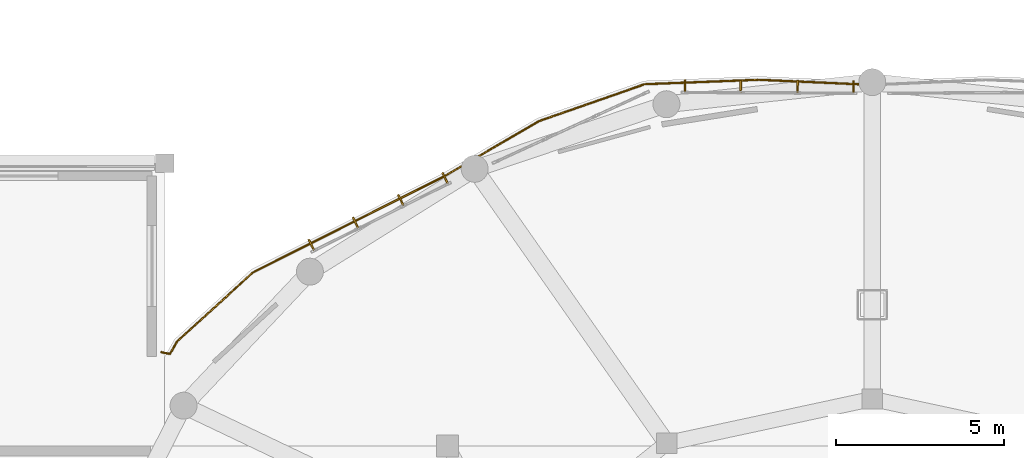
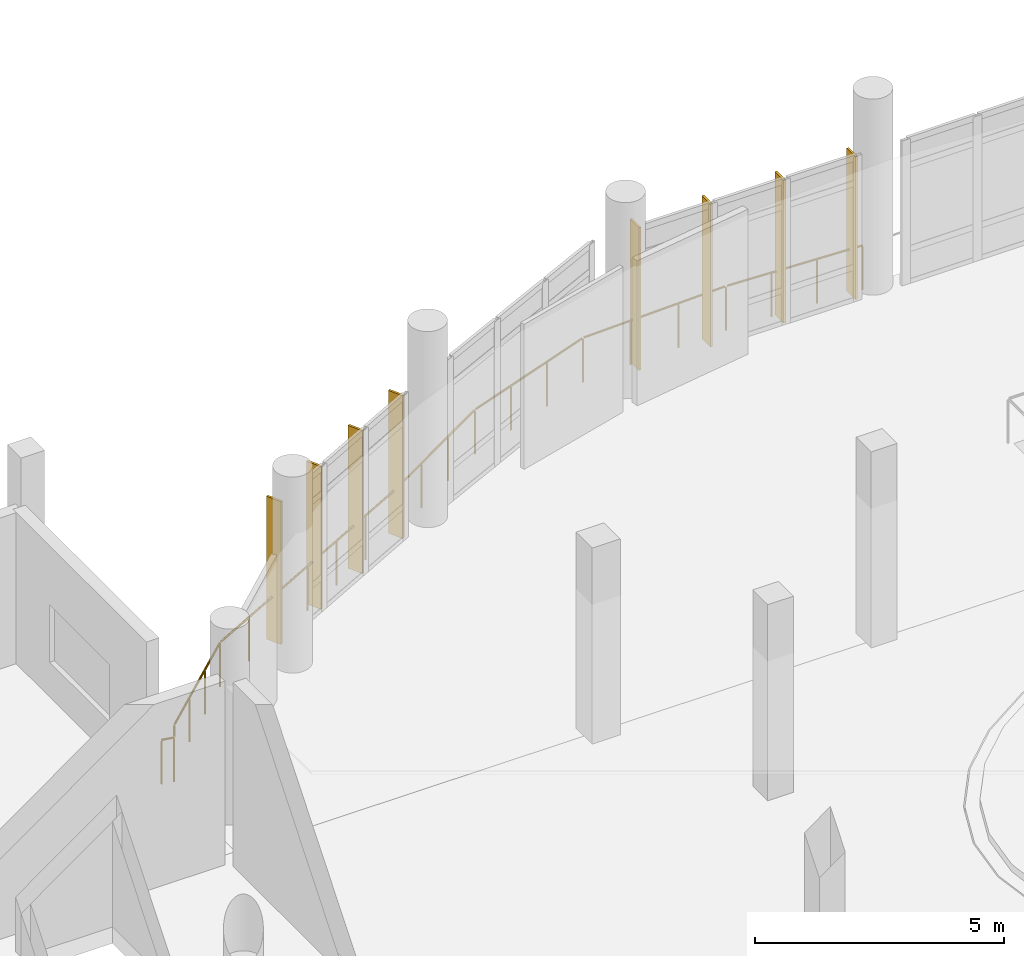
# One storey, part 57 of 63: 8 shading devices, 1 railing.
"""IFC4 building model written with IfcOpenShell, lengths in metres."""

from ifc_helpers import new_model, si_unit, derived_unit, direction, frame, origin, origin_2d, place, context, subcontext, project, spatial, rectangle, circle, extrude, material, type_object, element, save


model = new_model("IFC4")

# Units and contexts
model_context = context("Model", 3, precision=1e-05, world=origin(), true_north=direction((0.0, 1.0)))
body_context = subcontext(model_context, "Body", "Model", "MODEL_VIEW")
ifc_project = project(units=[si_unit("LENGTHUNIT", "METRE"), si_unit("AREAUNIT", "SQUARE_METRE"), si_unit("VOLUMEUNIT", "CUBIC_METRE"), si_unit("PLANEANGLEUNIT", "RADIAN"), si_unit("MASSUNIT", "GRAM", prefix="KILO"), derived_unit("THERMALTRANSMITTANCEUNIT", [(si_unit("POWERUNIT", "WATT"), 1), (si_unit("LENGTHUNIT", "METRE"), -2), (si_unit("THERMODYNAMICTEMPERATUREUNIT", "KELVIN"), -1)])], contexts=[model_context])

# Site, building, storey
site_placement = place(None, origin())
site = spatial("IfcSite", under=ifc_project, at=site_placement, CompositionType="ELEMENT")
building_placement = place(site_placement, origin())
building = spatial("IfcBuilding", under=site, at=building_placement, Name="Elbkamm Science Centre", CompositionType="ELEMENT")
storey_placement = place(building_placement, frame((0.0, 0.0, 5.10009765625)))
storey = spatial("IfcBuildingStorey", under=building, at=storey_placement, Name="L01", CompositionType="ELEMENT", Elevation=5.10009765625)

# Railing
ifc_material_1 = material(Name="Stainless steel EN 1.4401", Category="steel")
railing_type = type_object("IfcRailingType", Name="RAIL-EXT-GUARD-1100", PredefinedType="GUARDRAIL", material=ifc_material_1)
railing_placement = place(storey_placement, frame((41.89990234375, 78.38916015625, 0.0)))
element("IfcRailing", 1, at=railing_placement, inside=storey, type_object=railing_type, Name="L01 Slab Edge Perimeter Guard 016", PredefinedType="GUARDRAIL", context=body_context, shape_type="SweptSolid", body=[
    extrude(circle(Radius=0.02392578125, at=origin_2d()), frame((0.0, 0.0, 1.078125), z_axis=(0.979064624246, -0.203549653771, 0.0), x_axis=(0.203549653771, 0.979064624246, 0.0)), (0.0, 0.0, 1.0), 0.235107421875),
    extrude(circle(Radius=0.02392578125, at=origin_2d()), frame((0.2744140625, -0.02783203125, 1.078125), z_axis=(0.497683616544, 0.867358644289, 0.0), x_axis=(-0.867358644289, 0.497683616544, 0.0)), (0.0, 0.0, 1.0), 0.365234375),
    extrude(circle(Radius=0.02392578125, at=origin_2d()), frame((0.493408203125, 0.335205078125, 1.078125), z_axis=(0.73926901621, 0.673410217974, 0.0), x_axis=(-0.673410217974, 0.73926901621, 0.0)), (0.0, 0.0, 1.0), 2.987060546875),
    extrude(circle(Radius=0.02392578125, at=origin_2d()), frame((2.750732421875, 2.38037109375, 1.078125), z_axis=(0.893589385693, 0.448885296904, 0.0), x_axis=(-0.448885296904, 0.893589385693, 0.0)), (0.0, 0.0, 1.0), 6.304443359375),
    extrude(circle(Radius=0.02392578125, at=origin_2d()), frame((8.43701171875, 5.239013671875, 1.078125), z_axis=(0.864169164945, 0.503201405361, 0.0), x_axis=(-0.503201405361, 0.864169164945, 0.0)), (0.0, 0.0, 1.0), 3.182373046875),
    extrude(circle(Radius=0.02392578125, at=origin_2d()), frame((11.241455078125, 6.865478515625, 1.078125), z_axis=(0.944016499749, 0.32989823916, 0.0), x_axis=(-0.32989823916, 0.944016499749, 0.0)), (0.0, 0.0, 1.0), 3.259033203125),
    extrude(circle(Radius=0.02392578125, at=origin_2d()), frame((14.37646484375, 7.95166015625, 1.078125), z_axis=(0.999248479821, 0.038761779822, 0.0), x_axis=(-0.038761779822, 0.999248479821, 0.0)), (0.0, 0.0, 1.0), 3.3349609375),
    extrude(circle(Radius=0.02392578125, at=origin_2d()), frame((17.768798828125, 8.08056640625, 1.078125), z_axis=(0.998987237811, -0.044994429552, 0.0), x_axis=(0.044994429552, 0.998987237811, 0.0)), (0.0, 0.0, 1.0), 3.052001953125),
    extrude(circle(Radius=0.02001953125, at=origin_2d()), origin(), (0.0, 0.0, 1.0), 1.048095703125),
    extrude(circle(Radius=0.02001953125, at=origin_2d()), frame((0.259521484375, -0.053955078125, 0.0)), (0.0, 0.0, 1.0), 1.048095703125),
    extrude(circle(Radius=0.02001953125, at=origin_2d()), frame((0.47119140625, 0.31494140625, 0.0)), (0.0, 0.0, 1.0), 1.048095703125),
    extrude(circle(Radius=0.02001953125, at=origin_2d()), frame((1.22216796875, 0.9990234375, 0.0)), (0.0, 0.0, 1.0), 1.048095703125),
    extrude(circle(Radius=0.02001953125, at=origin_2d()), frame((1.972900390625, 1.682861328125, 0.0)), (0.0, 0.0, 1.0), 1.048095703125),
    extrude(circle(Radius=0.02001953125, at=origin_2d()), frame((2.723876953125, 2.366943359375, 0.0)), (0.0, 0.0, 1.0), 1.048095703125),
    extrude(circle(Radius=0.02001953125, at=origin_2d()), frame((3.671875, 2.843017578125, 0.0)), (0.0, 0.0, 1.0), 1.048095703125),
    extrude(circle(Radius=0.02001953125, at=origin_2d()), frame((4.61962890625, 3.3193359375, 0.0)), (0.0, 0.0, 1.0), 1.048095703125),
    extrude(circle(Radius=0.02001953125, at=origin_2d()), frame((5.5673828125, 3.79541015625, 0.0)), (0.0, 0.0, 1.0), 1.048095703125),
    extrude(circle(Radius=0.02001953125, at=origin_2d()), frame((6.515380859375, 4.271484375, 0.0)), (0.0, 0.0, 1.0), 1.048095703125),
    extrude(circle(Radius=0.02001953125, at=origin_2d()), frame((7.46337890625, 4.747802734375, 0.0)), (0.0, 0.0, 1.0), 1.048095703125),
    extrude(circle(Radius=0.02001953125, at=origin_2d()), frame((8.4111328125, 5.223876953125, 0.0)), (0.0, 0.0, 1.0), 1.048095703125),
    extrude(circle(Radius=0.02001953125, at=origin_2d()), frame((9.34521484375, 5.767822265625, 0.0)), (0.0, 0.0, 1.0), 1.048095703125),
    extrude(circle(Radius=0.02001953125, at=origin_2d()), frame((10.279052734375, 6.3115234375, 0.0)), (0.0, 0.0, 1.0), 1.048095703125),
    extrude(circle(Radius=0.02001953125, at=origin_2d()), frame((11.213134765625, 6.85546875, 0.0)), (0.0, 0.0, 1.0), 1.048095703125),
    extrude(circle(Radius=0.02001953125, at=origin_2d()), frame((12.257568359375, 7.220458984375, 0.0)), (0.0, 0.0, 1.0), 1.048095703125),
    extrude(circle(Radius=0.02001953125, at=origin_2d()), frame((13.302001953125, 7.58544921875, 0.0)), (0.0, 0.0, 1.0), 1.048095703125),
    extrude(circle(Radius=0.02001953125, at=origin_2d()), frame((14.346435546875, 7.950439453125, 0.0)), (0.0, 0.0, 1.0), 1.048095703125),
    extrude(circle(Radius=0.02001953125, at=origin_2d()), frame((15.477294921875, 7.994384765625, 0.0)), (0.0, 0.0, 1.0), 1.048095703125),
    extrude(circle(Radius=0.02001953125, at=origin_2d()), frame((16.60791015625, 8.0380859375, 0.0)), (0.0, 0.0, 1.0), 1.048095703125),
    extrude(circle(Radius=0.02001953125, at=origin_2d()), frame((17.73876953125, 8.08203125, 0.0)), (0.0, 0.0, 1.0), 1.048095703125),
    extrude(circle(Radius=0.02001953125, at=origin_2d()), frame((18.76513671875, 8.035888671875, 0.0)), (0.0, 0.0, 1.0), 1.048095703125),
    extrude(circle(Radius=0.02001953125, at=origin_2d()), frame((19.791259765625, 7.989501953125, 0.0)), (0.0, 0.0, 1.0), 1.048095703125),
    extrude(circle(Radius=0.02001953125, at=origin_2d()), frame((20.817626953125, 7.943359375, 0.0)), (0.0, 0.0, 1.0), 1.048095703125),
])

# Shading devices
ifc_material_2 = material(Name="Terracotta-ochre powder-coated aluminium EN AW-6060", Category="masonry")
shading_device_type = type_object("IfcShadingDeviceType", Name="SHD-LOUVRE-350", PredefinedType="USERDEFINED", material=ifc_material_2)
for number, where, z_axis, x_axis, name in (
    (2, (62.44140625, 86.267578125, 0.0), (0.0, 0.0, 1.0), (0.00463208727, 0.999989271826, 0.0), "L01 Brise-Soleil Sunshade Fin 0016"),
    (3, (60.78564453125, 86.275146484375, 0.0), (0.0, 0.0, 1.0), (0.00463208727, 0.999989271826, 0.0), "L01 Brise-Soleil Sunshade Fin 0017"),
    (4, (59.0947265625, 86.283203125, 0.0), (0.0, 0.0, 1.0), (0.00463208727, 0.999989271826, 0.0), "L01 Brise-Soleil Sunshade Fin 0018"),
    (5, (57.43896484375, 86.290771484375, 0.0), (0.0, 0.0, 1.0), (0.00463208727, 0.999989271826, 0.0), "L01 Brise-Soleil Sunshade Fin 0019"),
    (6, (50.321044921875, 83.557373046875, 0.0), (0.0, 0.0, 1.0), (-0.446441461567, 0.894812841545, 0.0), "L01 Brise-Soleil Sunshade Fin 0020"),
    (7, (49.00830078125, 82.90234375, 0.0), (0.0, 0.0, 1.0), (-0.446441461567, 0.894812841545, 0.0), "L01 Brise-Soleil Sunshade Fin 0021"),
    (8, (47.664306640625, 82.231689453125, 0.0), (0.0, 0.0, 1.0), (-0.446441461567, 0.894812841545, 0.0), "L01 Brise-Soleil Sunshade Fin 0022"),
    (9, (46.3515625, 81.57666015625, 0.0), (0.0, 0.0, 1.0), (-0.446441461567, 0.894812841545, 0.0), "L01 Brise-Soleil Sunshade Fin 0023"),
):
    element("IfcShadingDevice", number, at=place(storey_placement, frame(where, z_axis=z_axis, x_axis=x_axis)), inside=storey, type_object=shading_device_type, Name=name, ObjectType="LOUVRE", PredefinedType="USERDEFINED", context=body_context, shape_type="SweptSolid", body=[
        extrude(rectangle(XDim=0.35009765625, YDim=0.050048828125, at=origin_2d()), origin(), (0.0, 0.0, 1.0), 3.5),
    ])

save(model, "model.ifc")
